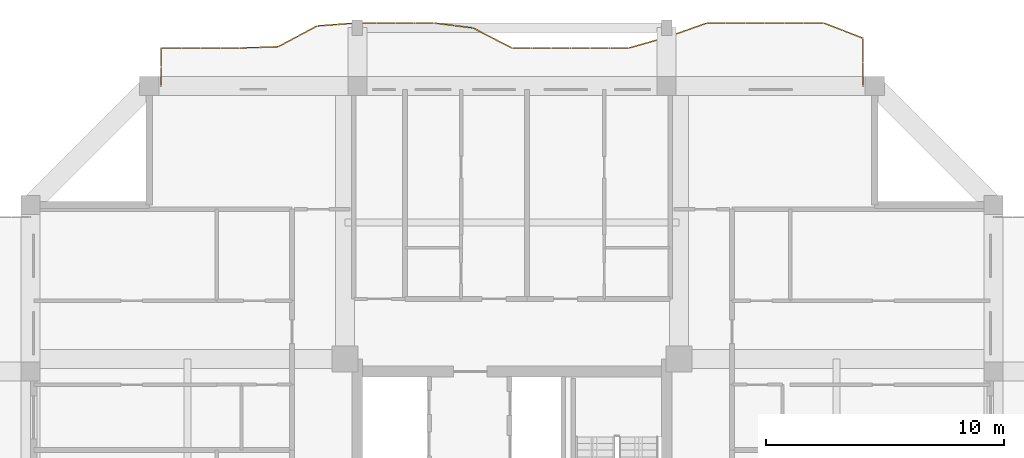
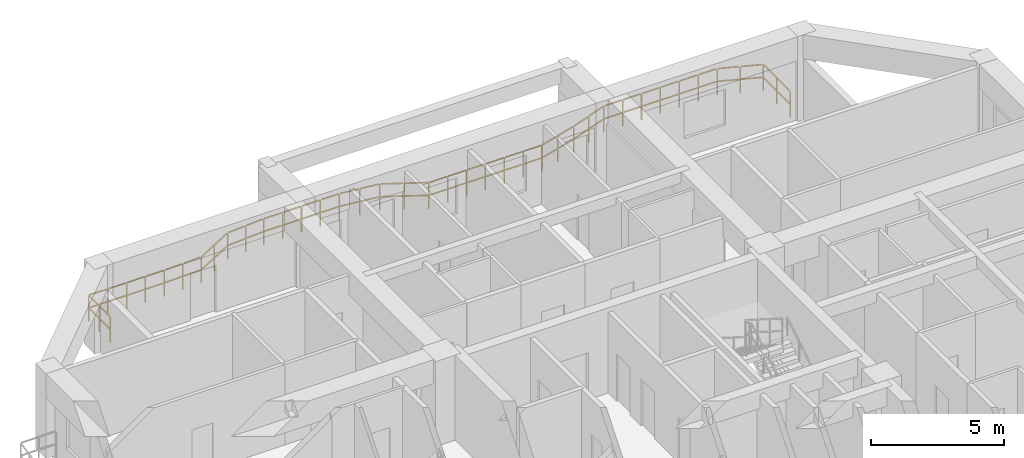
# One storey, part 14 of 14: 1 railing.
"""IFC4 building model written with IfcOpenShell, lengths in metres."""

from ifc_helpers import new_model, si_unit, direction, frame, origin, origin_2d, place, context, subcontext, project, spatial, rectangle, extrude, material, type_object, element, save


model = new_model("IFC4")

# Units and contexts
model_context = context("Model", 3, precision=1e-05, world=origin(), true_north=direction((0.0, 1.0)))
body_context = subcontext(model_context, "Body", "Model", "MODEL_VIEW")
ifc_project = project(units=[si_unit("LENGTHUNIT", "METRE"), si_unit("AREAUNIT", "SQUARE_METRE"), si_unit("VOLUMEUNIT", "CUBIC_METRE"), si_unit("PLANEANGLEUNIT", "RADIAN"), si_unit("MASSUNIT", "GRAM", prefix="KILO")], contexts=[model_context])

# Site, building, storey
site_placement = place(None, origin())
site = spatial("IfcSite", under=ifc_project, at=site_placement, CompositionType="ELEMENT")
building_placement = place(site_placement, origin())
building = spatial("IfcBuilding", under=site, at=building_placement, Name="Saelheon Loggia Tower", CompositionType="ELEMENT")
storey_placement = place(building_placement, frame((0.0, 0.0, 182.800048828125)))
storey = spatial("IfcBuildingStorey", under=building, at=storey_placement, Name="L57", CompositionType="ELEMENT", Elevation=182.800048828125)

# Railing
ifc_material = material(Name="Architectural Precast Concrete and Laminated Glass Guard", Category="concrete")
railing_type = type_object("IfcRailingType", Name="Guard_Loggia_RL_LOG", PredefinedType="BALUSTRADE", material=ifc_material)
railing_placement = place(storey_placement, frame((52.75, 48.0, 0.0)))
element("IfcRailing", 1, at=railing_placement, inside=storey, type_object=railing_type, Name="L57 North Loggia Balustrade", PredefinedType="BALUSTRADE", context=body_context, shape_type="SweptSolid", body=[
    extrude(rectangle(XDim=0.048095703125, YDim=0.048095703125, at=origin_2d()), frame((0.0, 0.033203125, 1.19580078125), z_axis=(0.0, 1.0, 0.0), x_axis=(-1.0, 0.0, 0.0)), (0.0, 0.0, 1.0), 0.940673828125),
    extrude(rectangle(XDim=0.048095703125, YDim=0.048095703125, at=origin_2d()), frame((0.0, 0.033203125, 0.60986328125), z_axis=(0.0, 1.0, 0.0), x_axis=(-1.0, 0.0, 0.0)), (0.0, 0.0, 1.0), 0.940673828125),
    extrude(rectangle(XDim=0.048095703125, YDim=0.048095703125, at=origin_2d()), frame((0.0, 1.04052734375, 1.19580078125), z_axis=(0.0, 1.0, 0.0), x_axis=(-1.0, 0.0, 0.0)), (0.0, 0.0, 1.0), 0.940673828125),
    extrude(rectangle(XDim=0.048095703125, YDim=0.048095703125, at=origin_2d()), frame((0.0, 1.04052734375, 0.60986328125), z_axis=(0.0, 1.0, 0.0), x_axis=(-1.0, 0.0, 0.0)), (0.0, 0.0, 1.0), 0.940673828125),
    extrude(rectangle(XDim=0.048095703125, YDim=0.048095703125, at=origin_2d()), frame((-0.031005859375, 2.0263671875, 1.19580078125), z_axis=(-0.93236130895, 0.361527854491, 0.0), x_axis=(-0.361527854491, -0.93236130895, 0.0)), (0.0, 0.0, 1.0), 0.8125),
    extrude(rectangle(XDim=0.048095703125, YDim=0.048095703125, at=origin_2d()), frame((-0.031005859375, 2.0263671875, 0.60986328125), z_axis=(-0.93236130895, 0.361527854491, 0.0), x_axis=(-0.361527854491, -0.93236130895, 0.0)), (0.0, 0.0, 1.0), 0.8125),
    extrude(rectangle(XDim=0.048095703125, YDim=0.048095703125, at=origin_2d()), frame((-0.850341796875, 2.34423828125, 1.19580078125), z_axis=(-0.93236130895, 0.361527854491, 0.0), x_axis=(-0.361527854491, -0.93236130895, 0.0)), (0.0, 0.0, 1.0), 0.8125),
    extrude(rectangle(XDim=0.048095703125, YDim=0.048095703125, at=origin_2d()), frame((-0.850341796875, 2.34423828125, 0.60986328125), z_axis=(-0.93236130895, 0.361527854491, 0.0), x_axis=(-0.361527854491, -0.93236130895, 0.0)), (0.0, 0.0, 1.0), 0.8125),
    extrude(rectangle(XDim=0.048095703125, YDim=0.048095703125, at=origin_2d()), frame((-1.672119140625, 2.64990234375, 1.19580078125), z_axis=(-1.0, 0.0, 0.0), x_axis=(0.0, -1.0, 0.0)), (0.0, 0.0, 1.0), 0.7529296875),
    extrude(rectangle(XDim=0.048095703125, YDim=0.048095703125, at=origin_2d()), frame((-1.672119140625, 2.64990234375, 0.60986328125), z_axis=(-1.0, 0.0, 0.0), x_axis=(0.0, -1.0, 0.0)), (0.0, 0.0, 1.0), 0.7529296875),
    extrude(rectangle(XDim=0.048095703125, YDim=0.048095703125, at=origin_2d()), frame((-2.49169921875, 2.64990234375, 1.19580078125), z_axis=(-1.0, 0.0, 0.0), x_axis=(0.0, -1.0, 0.0)), (0.0, 0.0, 1.0), 0.7529296875),
    extrude(rectangle(XDim=0.048095703125, YDim=0.048095703125, at=origin_2d()), frame((-2.49169921875, 2.64990234375, 0.60986328125), z_axis=(-1.0, 0.0, 0.0), x_axis=(0.0, -1.0, 0.0)), (0.0, 0.0, 1.0), 0.7529296875),
    extrude(rectangle(XDim=0.048095703125, YDim=0.048095703125, at=origin_2d()), frame((-3.31103515625, 2.64990234375, 1.19580078125), z_axis=(-1.0, 0.0, 0.0), x_axis=(0.0, -1.0, 0.0)), (0.0, 0.0, 1.0), 0.7529296875),
    extrude(rectangle(XDim=0.048095703125, YDim=0.048095703125, at=origin_2d()), frame((-3.31103515625, 2.64990234375, 0.60986328125), z_axis=(-1.0, 0.0, 0.0), x_axis=(0.0, -1.0, 0.0)), (0.0, 0.0, 1.0), 0.7529296875),
    extrude(rectangle(XDim=0.048095703125, YDim=0.048095703125, at=origin_2d()), frame((-4.130615234375, 2.64990234375, 1.19580078125), z_axis=(-1.0, 0.0, 0.0), x_axis=(0.0, -1.0, 0.0)), (0.0, 0.0, 1.0), 0.7529296875),
    extrude(rectangle(XDim=0.048095703125, YDim=0.048095703125, at=origin_2d()), frame((-4.130615234375, 2.64990234375, 0.60986328125), z_axis=(-1.0, 0.0, 0.0), x_axis=(0.0, -1.0, 0.0)), (0.0, 0.0, 1.0), 0.7529296875),
    extrude(rectangle(XDim=0.048095703125, YDim=0.048095703125, at=origin_2d()), frame((-4.949951171875, 2.64990234375, 1.19580078125), z_axis=(-1.0, 0.0, 0.0), x_axis=(0.0, -1.0, 0.0)), (0.0, 0.0, 1.0), 0.7529296875),
    extrude(rectangle(XDim=0.048095703125, YDim=0.048095703125, at=origin_2d()), frame((-4.949951171875, 2.64990234375, 0.60986328125), z_axis=(-1.0, 0.0, 0.0), x_axis=(0.0, -1.0, 0.0)), (0.0, 0.0, 1.0), 0.7529296875),
    extrude(rectangle(XDim=0.048095703125, YDim=0.048095703125, at=origin_2d()), frame((-5.76953125, 2.64990234375, 1.19580078125), z_axis=(-1.0, 0.0, 0.0), x_axis=(0.0, -1.0, 0.0)), (0.0, 0.0, 1.0), 0.7529296875),
    extrude(rectangle(XDim=0.048095703125, YDim=0.048095703125, at=origin_2d()), frame((-5.76953125, 2.64990234375, 0.60986328125), z_axis=(-1.0, 0.0, 0.0), x_axis=(0.0, -1.0, 0.0)), (0.0, 0.0, 1.0), 0.7529296875),
    extrude(rectangle(XDim=0.048095703125, YDim=0.048095703125, at=origin_2d()), frame((-6.5869140625, 2.638916015625, 1.19580078125), z_axis=(-0.942987739841, -0.33282746658, 0.0), x_axis=(0.33282746658, -0.942987739841, 0.0)), (0.0, 0.0, 1.0), 0.802490234375),
    extrude(rectangle(XDim=0.048095703125, YDim=0.048095703125, at=origin_2d()), frame((-6.5869140625, 2.638916015625, 0.60986328125), z_axis=(-0.942987739841, -0.33282746658, 0.0), x_axis=(0.33282746658, -0.942987739841, 0.0)), (0.0, 0.0, 1.0), 0.802490234375),
    extrude(rectangle(XDim=0.048095703125, YDim=0.048095703125, at=origin_2d()), frame((-7.40625, 2.349609375, 1.19580078125), z_axis=(-0.942987739841, -0.33282746658, 0.0), x_axis=(0.33282746658, -0.942987739841, 0.0)), (0.0, 0.0, 1.0), 0.802490234375),
    extrude(rectangle(XDim=0.048095703125, YDim=0.048095703125, at=origin_2d()), frame((-7.40625, 2.349609375, 0.60986328125), z_axis=(-0.942987739841, -0.33282746658, 0.0), x_axis=(0.33282746658, -0.942987739841, 0.0)), (0.0, 0.0, 1.0), 0.802490234375),
    extrude(rectangle(XDim=0.048095703125, YDim=0.048095703125, at=origin_2d()), frame((-8.226318359375, 2.062255859375, 1.19580078125), z_axis=(-0.961030803271, -0.276441305097, 0.0), x_axis=(0.276441305097, -0.961030803271, 0.0)), (0.0, 0.0, 1.0), 0.7861328125),
    extrude(rectangle(XDim=0.048095703125, YDim=0.048095703125, at=origin_2d()), frame((-8.226318359375, 2.062255859375, 0.60986328125), z_axis=(-0.961030803271, -0.276441305097, 0.0), x_axis=(0.276441305097, -0.961030803271, 0.0)), (0.0, 0.0, 1.0), 0.7861328125),
    extrude(rectangle(XDim=0.048095703125, YDim=0.048095703125, at=origin_2d()), frame((-9.045654296875, 1.82666015625, 1.19580078125), z_axis=(-0.961030803271, -0.276441305097, 0.0), x_axis=(0.276441305097, -0.961030803271, 0.0)), (0.0, 0.0, 1.0), 0.7861328125),
    extrude(rectangle(XDim=0.048095703125, YDim=0.048095703125, at=origin_2d()), frame((-9.045654296875, 1.82666015625, 0.60986328125), z_axis=(-0.961030803271, -0.276441305097, 0.0), x_axis=(0.276441305097, -0.961030803271, 0.0)), (0.0, 0.0, 1.0), 0.7861328125),
    extrude(rectangle(XDim=0.048095703125, YDim=0.048095703125, at=origin_2d()), frame((-9.866455078125, 1.60009765625, 1.19580078125), z_axis=(-1.0, 0.0, 0.0), x_axis=(0.0, -1.0, 0.0)), (0.0, 0.0, 1.0), 0.7529296875),
    extrude(rectangle(XDim=0.048095703125, YDim=0.048095703125, at=origin_2d()), frame((-9.866455078125, 1.60009765625, 0.60986328125), z_axis=(-1.0, 0.0, 0.0), x_axis=(0.0, -1.0, 0.0)), (0.0, 0.0, 1.0), 0.7529296875),
    extrude(rectangle(XDim=0.048095703125, YDim=0.048095703125, at=origin_2d()), frame((-10.68603515625, 1.60009765625, 1.19580078125), z_axis=(-1.0, 0.0, 0.0), x_axis=(0.0, -1.0, 0.0)), (0.0, 0.0, 1.0), 0.7529296875),
    extrude(rectangle(XDim=0.048095703125, YDim=0.048095703125, at=origin_2d()), frame((-10.68603515625, 1.60009765625, 0.60986328125), z_axis=(-1.0, 0.0, 0.0), x_axis=(0.0, -1.0, 0.0)), (0.0, 0.0, 1.0), 0.7529296875),
    extrude(rectangle(XDim=0.048095703125, YDim=0.048095703125, at=origin_2d()), frame((-11.50537109375, 1.60009765625, 1.19580078125), z_axis=(-1.0, 0.0, 0.0), x_axis=(0.0, -1.0, 0.0)), (0.0, 0.0, 1.0), 0.7529296875),
    extrude(rectangle(XDim=0.048095703125, YDim=0.048095703125, at=origin_2d()), frame((-11.50537109375, 1.60009765625, 0.60986328125), z_axis=(-1.0, 0.0, 0.0), x_axis=(0.0, -1.0, 0.0)), (0.0, 0.0, 1.0), 0.7529296875),
    extrude(rectangle(XDim=0.048095703125, YDim=0.048095703125, at=origin_2d()), frame((-12.324951171875, 1.60009765625, 1.19580078125), z_axis=(-1.0, 0.0, 0.0), x_axis=(0.0, -1.0, 0.0)), (0.0, 0.0, 1.0), 0.7529296875),
    extrude(rectangle(XDim=0.048095703125, YDim=0.048095703125, at=origin_2d()), frame((-12.324951171875, 1.60009765625, 0.60986328125), z_axis=(-1.0, 0.0, 0.0), x_axis=(0.0, -1.0, 0.0)), (0.0, 0.0, 1.0), 0.7529296875),
    extrude(rectangle(XDim=0.048095703125, YDim=0.048095703125, at=origin_2d()), frame((-13.144287109375, 1.60009765625, 1.19580078125), z_axis=(-1.0, 0.0, 0.0), x_axis=(0.0, -1.0, 0.0)), (0.0, 0.0, 1.0), 0.7529296875),
    extrude(rectangle(XDim=0.048095703125, YDim=0.048095703125, at=origin_2d()), frame((-13.144287109375, 1.60009765625, 0.60986328125), z_axis=(-1.0, 0.0, 0.0), x_axis=(0.0, -1.0, 0.0)), (0.0, 0.0, 1.0), 0.7529296875),
    extrude(rectangle(XDim=0.048095703125, YDim=0.048095703125, at=origin_2d()), frame((-13.9638671875, 1.60009765625, 1.19580078125), z_axis=(-1.0, 0.0, 0.0), x_axis=(0.0, -1.0, 0.0)), (0.0, 0.0, 1.0), 0.7529296875),
    extrude(rectangle(XDim=0.048095703125, YDim=0.048095703125, at=origin_2d()), frame((-13.9638671875, 1.60009765625, 0.60986328125), z_axis=(-1.0, 0.0, 0.0), x_axis=(0.0, -1.0, 0.0)), (0.0, 0.0, 1.0), 0.7529296875),
    extrude(rectangle(XDim=0.048095703125, YDim=0.048095703125, at=origin_2d()), frame((-14.779541015625, 1.615234375, 1.19580078125), z_axis=(-0.889794001833, 0.456362393611, 0.0), x_axis=(-0.456362393611, -0.889794001833, 0.0)), (0.0, 0.0, 1.0), 0.8544921875),
    extrude(rectangle(XDim=0.048095703125, YDim=0.048095703125, at=origin_2d()), frame((-14.779541015625, 1.615234375, 0.60986328125), z_axis=(-0.889794001833, 0.456362393611, 0.0), x_axis=(-0.456362393611, -0.889794001833, 0.0)), (0.0, 0.0, 1.0), 0.8544921875),
    extrude(rectangle(XDim=0.048095703125, YDim=0.048095703125, at=origin_2d()), frame((-15.59912109375, 2.03564453125, 1.19580078125), z_axis=(-0.889794001833, 0.456362393611, 0.0), x_axis=(-0.456362393611, -0.889794001833, 0.0)), (0.0, 0.0, 1.0), 0.8544921875),
    extrude(rectangle(XDim=0.048095703125, YDim=0.048095703125, at=origin_2d()), frame((-15.59912109375, 2.03564453125, 0.60986328125), z_axis=(-0.889794001833, 0.456362393611, 0.0), x_axis=(-0.456362393611, -0.889794001833, 0.0)), (0.0, 0.0, 1.0), 0.8544921875),
    extrude(rectangle(XDim=0.048095703125, YDim=0.048095703125, at=origin_2d()), frame((-16.421875, 2.44482421875, 1.19580078125), z_axis=(-0.99194938468, 0.126634980288, 0.0), x_axis=(-0.126634980288, -0.99194938468, 0.0)), (0.0, 0.0, 1.0), 0.759521484375),
    extrude(rectangle(XDim=0.048095703125, YDim=0.048095703125, at=origin_2d()), frame((-16.421875, 2.44482421875, 0.60986328125), z_axis=(-0.99194938468, 0.126634980288, 0.0), x_axis=(-0.126634980288, -0.99194938468, 0.0)), (0.0, 0.0, 1.0), 0.759521484375),
    extrude(rectangle(XDim=0.048095703125, YDim=0.048095703125, at=origin_2d()), frame((-17.241455078125, 2.549560546875, 1.19580078125), z_axis=(-0.99194938468, 0.126634980288, 0.0), x_axis=(-0.126634980288, -0.99194938468, 0.0)), (0.0, 0.0, 1.0), 0.759521484375),
    extrude(rectangle(XDim=0.048095703125, YDim=0.048095703125, at=origin_2d()), frame((-17.241455078125, 2.549560546875, 0.60986328125), z_axis=(-0.99194938468, 0.126634980288, 0.0), x_axis=(-0.126634980288, -0.99194938468, 0.0)), (0.0, 0.0, 1.0), 0.759521484375),
    extrude(rectangle(XDim=0.048095703125, YDim=0.048095703125, at=origin_2d()), frame((-18.06103515625, 2.64990234375, 1.19580078125), z_axis=(-1.0, 0.0, 0.0), x_axis=(0.0, -1.0, 0.0)), (0.0, 0.0, 1.0), 0.7529296875),
    extrude(rectangle(XDim=0.048095703125, YDim=0.048095703125, at=origin_2d()), frame((-18.06103515625, 2.64990234375, 0.60986328125), z_axis=(-1.0, 0.0, 0.0), x_axis=(0.0, -1.0, 0.0)), (0.0, 0.0, 1.0), 0.7529296875),
    extrude(rectangle(XDim=0.048095703125, YDim=0.048095703125, at=origin_2d()), frame((-18.880615234375, 2.64990234375, 1.19580078125), z_axis=(-1.0, 0.0, 0.0), x_axis=(0.0, -1.0, 0.0)), (0.0, 0.0, 1.0), 0.7529296875),
    extrude(rectangle(XDim=0.048095703125, YDim=0.048095703125, at=origin_2d()), frame((-18.880615234375, 2.64990234375, 0.60986328125), z_axis=(-1.0, 0.0, 0.0), x_axis=(0.0, -1.0, 0.0)), (0.0, 0.0, 1.0), 0.7529296875),
    extrude(rectangle(XDim=0.048095703125, YDim=0.048095703125, at=origin_2d()), frame((-19.699951171875, 2.64990234375, 1.19580078125), z_axis=(-1.0, 0.0, 0.0), x_axis=(0.0, -1.0, 0.0)), (0.0, 0.0, 1.0), 0.7529296875),
    extrude(rectangle(XDim=0.048095703125, YDim=0.048095703125, at=origin_2d()), frame((-19.699951171875, 2.64990234375, 0.60986328125), z_axis=(-1.0, 0.0, 0.0), x_axis=(0.0, -1.0, 0.0)), (0.0, 0.0, 1.0), 0.7529296875),
    extrude(rectangle(XDim=0.048095703125, YDim=0.048095703125, at=origin_2d()), frame((-20.51953125, 2.64990234375, 1.19580078125), z_axis=(-1.0, 0.0, 0.0), x_axis=(0.0, -1.0, 0.0)), (0.0, 0.0, 1.0), 0.7529296875),
    extrude(rectangle(XDim=0.048095703125, YDim=0.048095703125, at=origin_2d()), frame((-20.51953125, 2.64990234375, 0.60986328125), z_axis=(-1.0, 0.0, 0.0), x_axis=(0.0, -1.0, 0.0)), (0.0, 0.0, 1.0), 0.7529296875),
    extrude(rectangle(XDim=0.048095703125, YDim=0.048095703125, at=origin_2d()), frame((-21.3388671875, 2.6474609375, 1.19580078125), z_axis=(-0.997269781095, -0.073844320799, 0.0), x_axis=(0.073844320799, -0.997269781095, 0.0)), (0.0, 0.0, 1.0), 0.755126953125),
    extrude(rectangle(XDim=0.048095703125, YDim=0.048095703125, at=origin_2d()), frame((-21.3388671875, 2.6474609375, 0.60986328125), z_axis=(-0.997269781095, -0.073844320799, 0.0), x_axis=(0.073844320799, -0.997269781095, 0.0)), (0.0, 0.0, 1.0), 0.755126953125),
    extrude(rectangle(XDim=0.048095703125, YDim=0.048095703125, at=origin_2d()), frame((-22.158203125, 2.586669921875, 1.19580078125), z_axis=(-0.997269781095, -0.073844320799, 0.0), x_axis=(0.073844320799, -0.997269781095, 0.0)), (0.0, 0.0, 1.0), 0.755126953125),
    extrude(rectangle(XDim=0.048095703125, YDim=0.048095703125, at=origin_2d()), frame((-22.158203125, 2.586669921875, 0.60986328125), z_axis=(-0.997269781095, -0.073844320799, 0.0), x_axis=(0.073844320799, -0.997269781095, 0.0)), (0.0, 0.0, 1.0), 0.755126953125),
    extrude(rectangle(XDim=0.048095703125, YDim=0.048095703125, at=origin_2d()), frame((-22.9736328125, 2.512939453125, 1.19580078125), z_axis=(-0.88231291672, -0.470663273465, 0.0), x_axis=(0.470663273465, -0.88231291672, 0.0)), (0.0, 0.0, 1.0), 0.8623046875),
    extrude(rectangle(XDim=0.048095703125, YDim=0.048095703125, at=origin_2d()), frame((-22.9736328125, 2.512939453125, 0.60986328125), z_axis=(-0.88231291672, -0.470663273465, 0.0), x_axis=(0.470663273465, -0.88231291672, 0.0)), (0.0, 0.0, 1.0), 0.8623046875),
    extrude(rectangle(XDim=0.048095703125, YDim=0.048095703125, at=origin_2d()), frame((-23.793212890625, 2.07568359375, 1.19580078125), z_axis=(-0.88231291672, -0.470663273465, 0.0), x_axis=(0.470663273465, -0.88231291672, 0.0)), (0.0, 0.0, 1.0), 0.8623046875),
    extrude(rectangle(XDim=0.048095703125, YDim=0.048095703125, at=origin_2d()), frame((-23.793212890625, 2.07568359375, 0.60986328125), z_axis=(-0.88231291672, -0.470663273465, 0.0), x_axis=(0.470663273465, -0.88231291672, 0.0)), (0.0, 0.0, 1.0), 0.8623046875),
    extrude(rectangle(XDim=0.048095703125, YDim=0.048095703125, at=origin_2d()), frame((-24.616455078125, 1.6533203125, 1.19580078125), z_axis=(-0.999453630287, -0.033052093836, 0.0), x_axis=(0.033052093836, -0.999453630287, 0.0)), (0.0, 0.0, 1.0), 0.75341796875),
    extrude(rectangle(XDim=0.048095703125, YDim=0.048095703125, at=origin_2d()), frame((-24.616455078125, 1.6533203125, 0.60986328125), z_axis=(-0.999453630287, -0.033052093836, 0.0), x_axis=(0.033052093836, -0.999453630287, 0.0)), (0.0, 0.0, 1.0), 0.75341796875),
    extrude(rectangle(XDim=0.048095703125, YDim=0.048095703125, at=origin_2d()), frame((-25.43603515625, 1.626220703125, 1.19580078125), z_axis=(-0.999453630287, -0.033052093836, 0.0), x_axis=(0.033052093836, -0.999453630287, 0.0)), (0.0, 0.0, 1.0), 0.75341796875),
    extrude(rectangle(XDim=0.048095703125, YDim=0.048095703125, at=origin_2d()), frame((-25.43603515625, 1.626220703125, 0.60986328125), z_axis=(-0.999453630287, -0.033052093836, 0.0), x_axis=(0.033052093836, -0.999453630287, 0.0)), (0.0, 0.0, 1.0), 0.75341796875),
    extrude(rectangle(XDim=0.048095703125, YDim=0.048095703125, at=origin_2d()), frame((-26.25537109375, 1.60009765625, 1.19580078125), z_axis=(-1.0, 0.0, 0.0), x_axis=(0.0, -1.0, 0.0)), (0.0, 0.0, 1.0), 0.7529296875),
    extrude(rectangle(XDim=0.048095703125, YDim=0.048095703125, at=origin_2d()), frame((-26.25537109375, 1.60009765625, 0.60986328125), z_axis=(-1.0, 0.0, 0.0), x_axis=(0.0, -1.0, 0.0)), (0.0, 0.0, 1.0), 0.7529296875),
    extrude(rectangle(XDim=0.048095703125, YDim=0.048095703125, at=origin_2d()), frame((-27.074951171875, 1.60009765625, 1.19580078125), z_axis=(-1.0, 0.0, 0.0), x_axis=(0.0, -1.0, 0.0)), (0.0, 0.0, 1.0), 0.7529296875),
    extrude(rectangle(XDim=0.048095703125, YDim=0.048095703125, at=origin_2d()), frame((-27.074951171875, 1.60009765625, 0.60986328125), z_axis=(-1.0, 0.0, 0.0), x_axis=(0.0, -1.0, 0.0)), (0.0, 0.0, 1.0), 0.7529296875),
    extrude(rectangle(XDim=0.048095703125, YDim=0.048095703125, at=origin_2d()), frame((-27.894287109375, 1.60009765625, 1.19580078125), z_axis=(-1.0, 0.0, 0.0), x_axis=(0.0, -1.0, 0.0)), (0.0, 0.0, 1.0), 0.7529296875),
    extrude(rectangle(XDim=0.048095703125, YDim=0.048095703125, at=origin_2d()), frame((-27.894287109375, 1.60009765625, 0.60986328125), z_axis=(-1.0, 0.0, 0.0), x_axis=(0.0, -1.0, 0.0)), (0.0, 0.0, 1.0), 0.7529296875),
    extrude(rectangle(XDim=0.048095703125, YDim=0.048095703125, at=origin_2d()), frame((-28.7138671875, 1.60009765625, 1.19580078125), z_axis=(-1.0, 0.0, 0.0), x_axis=(0.0, -1.0, 0.0)), (0.0, 0.0, 1.0), 0.7529296875),
    extrude(rectangle(XDim=0.048095703125, YDim=0.048095703125, at=origin_2d()), frame((-28.7138671875, 1.60009765625, 0.60986328125), z_axis=(-1.0, 0.0, 0.0), x_axis=(0.0, -1.0, 0.0)), (0.0, 0.0, 1.0), 0.7529296875),
    extrude(rectangle(XDim=0.048095703125, YDim=0.048095703125, at=origin_2d()), frame((-29.5, 1.56689453125, 1.19580078125), z_axis=(0.0, -1.0, 0.0), x_axis=(1.0, 0.0, 0.0)), (0.0, 0.0, 1.0), 0.733642578125),
    extrude(rectangle(XDim=0.048095703125, YDim=0.048095703125, at=origin_2d()), frame((-29.5, 1.56689453125, 0.60986328125), z_axis=(0.0, -1.0, 0.0), x_axis=(1.0, 0.0, 0.0)), (0.0, 0.0, 1.0), 0.733642578125),
    extrude(rectangle(XDim=0.048095703125, YDim=0.048095703125, at=origin_2d()), frame((-29.5, 0.766845703125, 1.19580078125), z_axis=(0.0, -1.0, 0.0), x_axis=(1.0, 0.0, 0.0)), (0.0, 0.0, 1.0), 0.733642578125),
    extrude(rectangle(XDim=0.048095703125, YDim=0.048095703125, at=origin_2d()), frame((-29.5, 0.766845703125, 0.60986328125), z_axis=(0.0, -1.0, 0.0), x_axis=(1.0, 0.0, 0.0)), (0.0, 0.0, 1.0), 0.733642578125),
    extrude(rectangle(XDim=0.0419921875, YDim=0.0419921875, at=origin_2d()), origin(), (0.0, 0.0, 1.0), 1.16796875),
    extrude(rectangle(XDim=0.0419921875, YDim=0.0419921875, at=origin_2d()), frame((0.0, 1.00732421875, 0.0)), (0.0, 0.0, 1.0), 1.16796875),
    extrude(rectangle(XDim=0.0419921875, YDim=0.0419921875, at=origin_2d()), frame((0.0, 2.014404296875, 0.0)), (0.0, 0.0, 1.0), 1.16796875),
    extrude(rectangle(XDim=0.0419921875, YDim=0.0419921875, at=origin_2d()), frame((-0.8193359375, 2.33203125, 0.0)), (0.0, 0.0, 1.0), 1.16796875),
    extrude(rectangle(XDim=0.0419921875, YDim=0.0419921875, at=origin_2d()), frame((-1.638916015625, 2.64990234375, 0.0)), (0.0, 0.0, 1.0), 1.16796875),
    extrude(rectangle(XDim=0.0419921875, YDim=0.0419921875, at=origin_2d()), frame((-2.45849609375, 2.64990234375, 0.0)), (0.0, 0.0, 1.0), 1.16796875),
    extrude(rectangle(XDim=0.0419921875, YDim=0.0419921875, at=origin_2d()), frame((-3.27783203125, 2.64990234375, 0.0)), (0.0, 0.0, 1.0), 1.16796875),
    extrude(rectangle(XDim=0.0419921875, YDim=0.0419921875, at=origin_2d()), frame((-4.09716796875, 2.64990234375, 0.0)), (0.0, 0.0, 1.0), 1.16796875),
    extrude(rectangle(XDim=0.0419921875, YDim=0.0419921875, at=origin_2d()), frame((-4.916748046875, 2.64990234375, 0.0)), (0.0, 0.0, 1.0), 1.16796875),
    extrude(rectangle(XDim=0.0419921875, YDim=0.0419921875, at=origin_2d()), frame((-5.736328125, 2.64990234375, 0.0)), (0.0, 0.0, 1.0), 1.16796875),
    extrude(rectangle(XDim=0.0419921875, YDim=0.0419921875, at=origin_2d()), frame((-6.5556640625, 2.64990234375, 0.0)), (0.0, 0.0, 1.0), 1.16796875),
    extrude(rectangle(XDim=0.0419921875, YDim=0.0419921875, at=origin_2d()), frame((-7.375, 2.36083984375, 0.0)), (0.0, 0.0, 1.0), 1.16796875),
    extrude(rectangle(XDim=0.0419921875, YDim=0.0419921875, at=origin_2d()), frame((-8.1943359375, 2.071533203125, 0.0)), (0.0, 0.0, 1.0), 1.16796875),
    extrude(rectangle(XDim=0.0419921875, YDim=0.0419921875, at=origin_2d()), frame((-9.013671875, 1.8359375, 0.0)), (0.0, 0.0, 1.0), 1.16796875),
    extrude(rectangle(XDim=0.0419921875, YDim=0.0419921875, at=origin_2d()), frame((-9.833251953125, 1.60009765625, 0.0)), (0.0, 0.0, 1.0), 1.16796875),
    extrude(rectangle(XDim=0.0419921875, YDim=0.0419921875, at=origin_2d()), frame((-10.65283203125, 1.60009765625, 0.0)), (0.0, 0.0, 1.0), 1.16796875),
    extrude(rectangle(XDim=0.0419921875, YDim=0.0419921875, at=origin_2d()), frame((-11.47216796875, 1.60009765625, 0.0)), (0.0, 0.0, 1.0), 1.16796875),
    extrude(rectangle(XDim=0.0419921875, YDim=0.0419921875, at=origin_2d()), frame((-12.29150390625, 1.60009765625, 0.0)), (0.0, 0.0, 1.0), 1.16796875),
    extrude(rectangle(XDim=0.0419921875, YDim=0.0419921875, at=origin_2d()), frame((-13.111083984375, 1.60009765625, 0.0)), (0.0, 0.0, 1.0), 1.16796875),
    extrude(rectangle(XDim=0.0419921875, YDim=0.0419921875, at=origin_2d()), frame((-13.9306640625, 1.60009765625, 0.0)), (0.0, 0.0, 1.0), 1.16796875),
    extrude(rectangle(XDim=0.0419921875, YDim=0.0419921875, at=origin_2d()), frame((-14.75, 1.60009765625, 0.0)), (0.0, 0.0, 1.0), 1.16796875),
    extrude(rectangle(XDim=0.0419921875, YDim=0.0419921875, at=origin_2d()), frame((-15.5693359375, 2.0205078125, 0.0)), (0.0, 0.0, 1.0), 1.16796875),
    extrude(rectangle(XDim=0.0419921875, YDim=0.0419921875, at=origin_2d()), frame((-16.388916015625, 2.440673828125, 0.0)), (0.0, 0.0, 1.0), 1.16796875),
    extrude(rectangle(XDim=0.0419921875, YDim=0.0419921875, at=origin_2d()), frame((-17.20849609375, 2.54541015625, 0.0)), (0.0, 0.0, 1.0), 1.16796875),
    extrude(rectangle(XDim=0.0419921875, YDim=0.0419921875, at=origin_2d()), frame((-18.02783203125, 2.64990234375, 0.0)), (0.0, 0.0, 1.0), 1.16796875),
    extrude(rectangle(XDim=0.0419921875, YDim=0.0419921875, at=origin_2d()), frame((-18.84716796875, 2.64990234375, 0.0)), (0.0, 0.0, 1.0), 1.16796875),
    extrude(rectangle(XDim=0.0419921875, YDim=0.0419921875, at=origin_2d()), frame((-19.666748046875, 2.64990234375, 0.0)), (0.0, 0.0, 1.0), 1.16796875),
    extrude(rectangle(XDim=0.0419921875, YDim=0.0419921875, at=origin_2d()), frame((-20.486328125, 2.64990234375, 0.0)), (0.0, 0.0, 1.0), 1.16796875),
    extrude(rectangle(XDim=0.0419921875, YDim=0.0419921875, at=origin_2d()), frame((-21.3056640625, 2.64990234375, 0.0)), (0.0, 0.0, 1.0), 1.16796875),
    extrude(rectangle(XDim=0.0419921875, YDim=0.0419921875, at=origin_2d()), frame((-22.125, 2.58935546875, 0.0)), (0.0, 0.0, 1.0), 1.16796875),
    extrude(rectangle(XDim=0.0419921875, YDim=0.0419921875, at=origin_2d()), frame((-22.9443359375, 2.528564453125, 0.0)), (0.0, 0.0, 1.0), 1.16796875),
    extrude(rectangle(XDim=0.0419921875, YDim=0.0419921875, at=origin_2d()), frame((-23.763671875, 2.09130859375, 0.0)), (0.0, 0.0, 1.0), 1.16796875),
    extrude(rectangle(XDim=0.0419921875, YDim=0.0419921875, at=origin_2d()), frame((-24.583251953125, 1.654296875, 0.0)), (0.0, 0.0, 1.0), 1.16796875),
    extrude(rectangle(XDim=0.0419921875, YDim=0.0419921875, at=origin_2d()), frame((-25.40283203125, 1.627197265625, 0.0)), (0.0, 0.0, 1.0), 1.16796875),
    extrude(rectangle(XDim=0.0419921875, YDim=0.0419921875, at=origin_2d()), frame((-26.22216796875, 1.60009765625, 0.0)), (0.0, 0.0, 1.0), 1.16796875),
    extrude(rectangle(XDim=0.0419921875, YDim=0.0419921875, at=origin_2d()), frame((-27.04150390625, 1.60009765625, 0.0)), (0.0, 0.0, 1.0), 1.16796875),
    extrude(rectangle(XDim=0.0419921875, YDim=0.0419921875, at=origin_2d()), frame((-27.861083984375, 1.60009765625, 0.0)), (0.0, 0.0, 1.0), 1.16796875),
    extrude(rectangle(XDim=0.0419921875, YDim=0.0419921875, at=origin_2d()), frame((-28.6806640625, 1.60009765625, 0.0)), (0.0, 0.0, 1.0), 1.16796875),
    extrude(rectangle(XDim=0.0419921875, YDim=0.0419921875, at=origin_2d()), frame((-29.5, 1.60009765625, 0.0)), (0.0, 0.0, 1.0), 1.16796875),
    extrude(rectangle(XDim=0.0419921875, YDim=0.0419921875, at=origin_2d()), frame((-29.5, 0.800048828125, 0.0)), (0.0, 0.0, 1.0), 1.16796875),
    extrude(rectangle(XDim=0.0419921875, YDim=0.0419921875, at=origin_2d()), frame((-29.5, 0.0, 0.0)), (0.0, 0.0, 1.0), 1.16796875),
])

save(model, "model.ifc")
